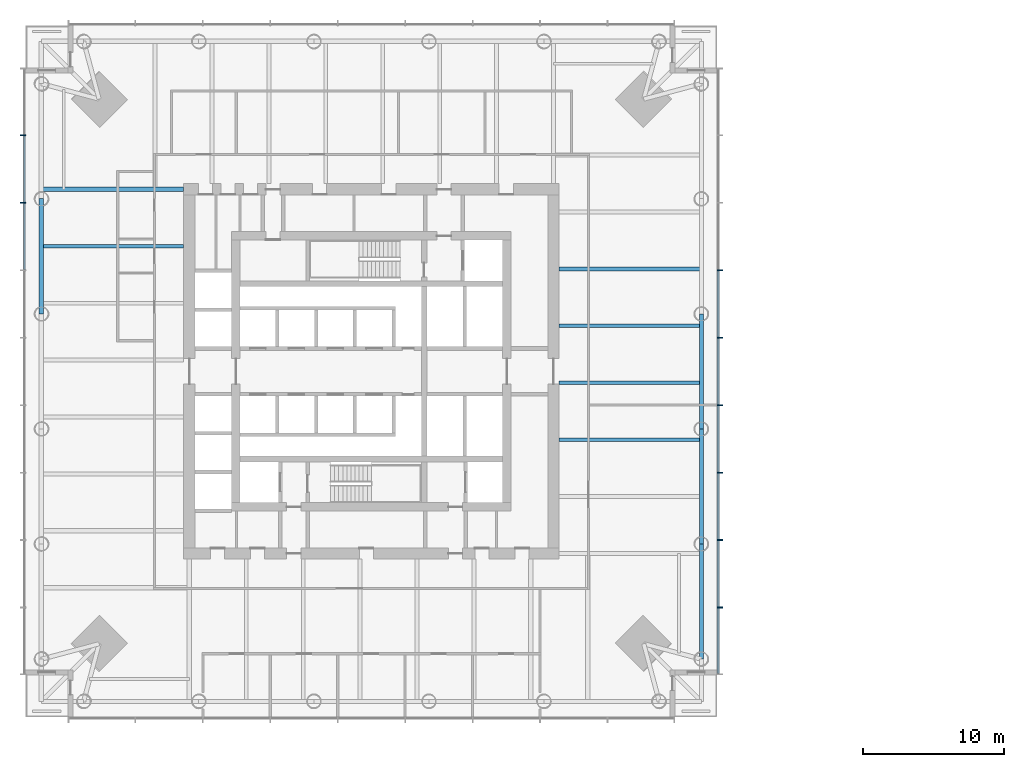
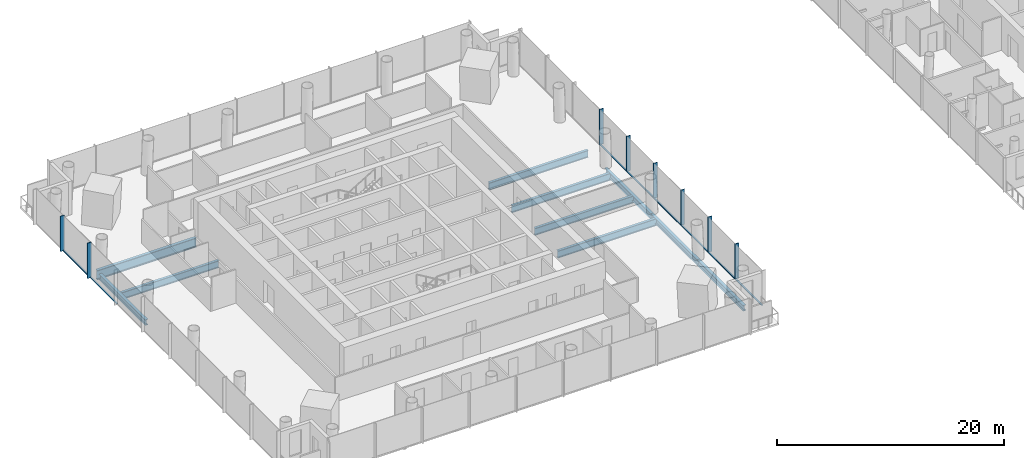
# One storey, part 3 of 22: 16 members, 10 beams, 2 elements without a shape of their own.
"""IFC4 building model written with IfcOpenShell, lengths in metres."""

from ifc_helpers import new_model, si_unit, direction, frame, origin, origin_2d, place, context, subcontext, project, spatial, rectangle, i_section, extrude, material, material_profile, profile_set, type_object, element, aggregate, save


model = new_model("IFC4")

# Units and contexts
model_context = context("Model", 3, precision=1e-05, world=origin(), true_north=direction((0.0, 1.0)))
body_context = subcontext(model_context, "Body", "Model", "MODEL_VIEW")
ifc_project = project(units=[si_unit("LENGTHUNIT", "METRE"), si_unit("AREAUNIT", "SQUARE_METRE"), si_unit("VOLUMEUNIT", "CUBIC_METRE"), si_unit("PLANEANGLEUNIT", "RADIAN"), si_unit("MASSUNIT", "GRAM", prefix="KILO")], contexts=[model_context])

# Site, building, storey
site_placement = place(None, origin())
site = spatial("IfcSite", under=ifc_project, at=site_placement, CompositionType="ELEMENT")
building_placement = place(site_placement, origin())
building = spatial("IfcBuilding", under=site, at=building_placement, Name="Ostroluk Exchange", CompositionType="ELEMENT")
storey_placement = place(building_placement, frame((0.0, 0.0, 40.0)))
storey = spatial("IfcBuildingStorey", under=building, at=storey_placement, Name="L09", CompositionType="ELEMENT", Elevation=40.0)

# Beams
ifc_material_1 = material(Name="Steel S355", Category="steel")
ifc_material_profile_1 = material_profile(ifc_material_1, i_section(OverallWidth=0.26806640625, OverallDepth=0.77001953125, WebThickness=0.015625, FlangeThickness=0.025390625, FilletRadius=0.01708984375, at=origin_2d()), Name="IPE 750x196")
ifc_profile_set_1 = profile_set([ifc_material_profile_1], Name="Steel S355")
beam_type_1 = type_object("IfcBeamType", Name="Floor beam IPE 750x196", PredefinedType="BEAM", material=ifc_profile_set_1)
for number, where, z_axis, x_axis, name in (
    (1, (58.300048828125, 41.1650390625, -0.56494140625), (1.0, 0.0, 0.0), (0.0, 1.0, 0.0), "T1 east floor beam 2"),
    (2, (58.300048828125, 45.197509765625, -0.56494140625), (1.0, 0.0, 0.0), (0.0, 1.0, 0.0), "T1 east floor beam 3"),
    (3, (58.300048828125, 49.230224609375, -0.56494140625), (1.0, 0.0, 0.0), (0.0, 1.0, 0.0), "T1 east floor beam 4"),
    (4, (58.300048828125, 53.2626953125, -0.56494140625), (1.0, 0.0, 0.0), (0.0, 1.0, 0.0), "T1 east floor beam 5"),
    (5, (31.699951171875, 54.867431640625, -0.56494140625), (-1.0, 0.0, 0.0), (0.0, -1.0, 0.0), "T1 west floor beam 1"),
):
    element("IfcBeam", number, at=place(storey_placement, frame(where, z_axis=z_axis, x_axis=x_axis)), inside=storey, type_object=beam_type_1, Name=name, PredefinedType="BEAM", context=body_context, shape_type="SweptSolid", body=[
        extrude(i_section(OverallWidth=0.26806640625, OverallDepth=0.77001953125, WebThickness=0.015625, FlangeThickness=0.025390625, FilletRadius=0.01708984375, at=origin_2d()), origin(), (0.0, 0.0, 1.0), 10.0927734375),
    ])
ifc_material_2 = material(Name="Steel S355", Category="steel")
ifc_material_profile_2 = material_profile(ifc_material_2, i_section(OverallWidth=0.302001953125, OverallDepth=1.008056640625, WebThickness=0.02099609375, FlangeThickness=0.0400390625, FilletRadius=0.030029296875, at=origin_2d()), Name="HEM 1000")
ifc_profile_set_2 = profile_set([ifc_material_profile_2], Name="Steel S355")
beam_type_2 = type_object("IfcBeamType", Name="Girder HEM 1000", PredefinedType="BEAM", material=ifc_profile_set_2)
beam_1_placement = place(storey_placement, frame((31.699951171875, 58.89990234375, -0.68408203125), z_axis=(-1.0, 0.0, 0.0), x_axis=(0.0, -1.0, 0.0)))
element("IfcBeam", 6, at=beam_1_placement, inside=storey, type_object=beam_type_2, Name="T1 north girder", PredefinedType="BEAM", context=body_context, shape_type="SweptSolid", body=[
    extrude(i_section(OverallWidth=0.302001953125, OverallDepth=1.008056640625, WebThickness=0.02099609375, FlangeThickness=0.0400390625, FilletRadius=0.030029296875, at=origin_2d()), origin(), (0.0, 0.0, 1.0), 10.0927734375),
])
ifc_material_3 = material(Name="Steel S355", Category="steel")
ifc_material_profile_3 = material_profile(ifc_material_3, i_section(OverallWidth=0.300048828125, OverallDepth=0.60009765625, WebThickness=0.015380859375, FlangeThickness=0.030029296875, FilletRadius=0.027099609375, at=origin_2d()), Name="HEB 600")
ifc_profile_set_3 = profile_set([ifc_material_profile_3], Name="Steel S355")
beam_type_3 = type_object("IfcBeamType", Name="Moment-connected edge beam HEB 600", PredefinedType="SPANDREL", material=ifc_profile_set_3)
beam_2_placement = place(storey_placement, frame((68.392822265625, 25.607177734375, -0.47998046875), z_axis=(0.0, 1.0, 0.0), x_axis=(-1.0, 0.0, 0.0)))
element("IfcBeam", 7, at=beam_2_placement, inside=storey, type_object=beam_type_3, Name="T1 east edge beam 1", PredefinedType="SPANDREL", context=body_context, shape_type="SweptSolid", body=[
    extrude(i_section(OverallWidth=0.300048828125, OverallDepth=0.60009765625, WebThickness=0.015380859375, FlangeThickness=0.030029296875, FilletRadius=0.027099609375, at=origin_2d()), origin(), (0.0, 0.0, 1.0), 8.1572265625),
])
beam_3_placement = place(storey_placement, frame((68.392822265625, 33.764404296875, -0.47998046875), z_axis=(0.0, 1.0, 0.0), x_axis=(-1.0, 0.0, 0.0)))
element("IfcBeam", 8, at=beam_3_placement, inside=storey, type_object=beam_type_3, Name="T1 east edge beam 2", PredefinedType="SPANDREL", context=body_context, shape_type="SweptSolid", body=[
    extrude(i_section(OverallWidth=0.300048828125, OverallDepth=0.60009765625, WebThickness=0.015380859375, FlangeThickness=0.030029296875, FilletRadius=0.027099609375, at=origin_2d()), origin(), (0.0, 0.0, 1.0), 8.156982421875),
])
beam_4_placement = place(storey_placement, frame((68.392822265625, 41.92138671875, -0.47998046875), z_axis=(0.0, 1.0, 0.0), x_axis=(-1.0, 0.0, 0.0)))
element("IfcBeam", 9, at=beam_4_placement, inside=storey, type_object=beam_type_3, Name="T1 east edge beam 3", PredefinedType="SPANDREL", context=body_context, shape_type="SweptSolid", body=[
    extrude(i_section(OverallWidth=0.300048828125, OverallDepth=0.60009765625, WebThickness=0.015380859375, FlangeThickness=0.030029296875, FilletRadius=0.027099609375, at=origin_2d()), origin(), (0.0, 0.0, 1.0), 8.1572265625),
])
beam_5_placement = place(storey_placement, frame((21.607177734375, 58.235595703125, -0.47998046875), z_axis=(0.0, -1.0, 0.0), x_axis=(1.0, 0.0, 0.0)))
element("IfcBeam", 10, at=beam_5_placement, inside=storey, type_object=beam_type_3, Name="T1 west edge beam 2", PredefinedType="SPANDREL", context=body_context, shape_type="SweptSolid", body=[
    extrude(i_section(OverallWidth=0.300048828125, OverallDepth=0.60009765625, WebThickness=0.015380859375, FlangeThickness=0.030029296875, FilletRadius=0.027099609375, at=origin_2d()), origin(), (0.0, 0.0, 1.0), 8.156982421875),
])

# Curtain wall, members
ifc_material_4 = material(Name="Laminated clear glass", Category="glass")
curtain_wall_type = type_object("IfcCurtainWallType", Name="Office tower facade", PredefinedType="USERDEFINED", material=ifc_material_4)
curtain_wall_1_placement = place(storey_placement, origin())
curtain_wall_1 = element("IfcCurtainWall", 11, at=curtain_wall_1_placement, inside=storey, type_object=curtain_wall_type, Name="Office tower east facade L09", ObjectType="UNITISED CURTAIN WALL", PredefinedType="USERDEFINED")
ifc_material_5 = material(Name="Aluminium mullion", Category="aluminium")
ifc_material_profile_4 = material_profile(ifc_material_5, rectangle(XDim=0.14990234375, YDim=0.080078125, at=origin_2d()), Name="Sill transom 80 x 150")
ifc_profile_set_4 = profile_set([ifc_material_profile_4], Name="Aluminium mullion")
member_type_1 = type_object("IfcMemberType", Name="Sill transom 80 x 150", PredefinedType="USERDEFINED", material=ifc_profile_set_4)
member_1_placement = place(storey_placement, frame((69.574951171875, 24.580078125, 0.0400390625), z_axis=(0.0, 1.0, 0.0), x_axis=(-1.0, 0.0, 0.0)))
member_1 = element("IfcMember", 12, at=member_1_placement, type_object=member_type_1, Name="CW-O1 transom 1.1", ObjectType="TRANSOM", PredefinedType="USERDEFINED", context=body_context, shape_type="SweptSolid", body=[
    extrude(rectangle(XDim=0.14990234375, YDim=0.080078125, at=origin_2d()), origin(), (0.0, 0.0, 1.0), 4.65771484375),
])
member_2_placement = place(storey_placement, frame((69.574951171875, 29.31787109375, 0.0400390625), z_axis=(0.0, 1.0, 0.0), x_axis=(-1.0, 0.0, 0.0)))
member_2 = element("IfcMember", 13, at=member_2_placement, type_object=member_type_1, Name="CW-O1 transom 2.1", ObjectType="TRANSOM", PredefinedType="USERDEFINED", context=body_context, shape_type="SweptSolid", body=[
    extrude(rectangle(XDim=0.14990234375, YDim=0.080078125, at=origin_2d()), origin(), (0.0, 0.0, 1.0), 4.69775390625),
])
member_3_placement = place(storey_placement, frame((69.574951171875, 34.095458984375, 0.0400390625), z_axis=(0.0, 1.0, 0.0), x_axis=(-1.0, 0.0, 0.0)))
member_3 = element("IfcMember", 14, at=member_3_placement, type_object=member_type_1, Name="CW-O1 transom 3.1", ObjectType="TRANSOM", PredefinedType="USERDEFINED", context=body_context, shape_type="SweptSolid", body=[
    extrude(rectangle(XDim=0.14990234375, YDim=0.080078125, at=origin_2d()), origin(), (0.0, 0.0, 1.0), 4.69775390625),
])
member_4_placement = place(storey_placement, frame((69.574951171875, 38.873291015625, 0.0400390625), z_axis=(0.0, 1.0, 0.0), x_axis=(-1.0, 0.0, 0.0)))
member_4 = element("IfcMember", 15, at=member_4_placement, type_object=member_type_1, Name="CW-O1 transom 4.1", ObjectType="TRANSOM", PredefinedType="USERDEFINED", context=body_context, shape_type="SweptSolid", body=[
    extrude(rectangle(XDim=0.14990234375, YDim=0.080078125, at=origin_2d()), origin(), (0.0, 0.0, 1.0), 4.69775390625),
])
member_5_placement = place(storey_placement, frame((69.574951171875, 43.651123046875, 0.0400390625), z_axis=(0.0, 1.0, 0.0), x_axis=(-1.0, 0.0, 0.0)))
member_5 = element("IfcMember", 16, at=member_5_placement, type_object=member_type_1, Name="CW-O1 transom 5.1", ObjectType="TRANSOM", PredefinedType="USERDEFINED", context=body_context, shape_type="SweptSolid", body=[
    extrude(rectangle(XDim=0.14990234375, YDim=0.080078125, at=origin_2d()), origin(), (0.0, 0.0, 1.0), 4.69775390625),
])
member_6_placement = place(storey_placement, frame((69.574951171875, 48.428955078125, 0.0400390625), z_axis=(0.0, 1.0, 0.0), x_axis=(-1.0, 0.0, 0.0)))
member_6 = element("IfcMember", 17, at=member_6_placement, type_object=member_type_1, Name="CW-O1 transom 6.1", ObjectType="TRANSOM", PredefinedType="USERDEFINED", context=body_context, shape_type="SweptSolid", body=[
    extrude(rectangle(XDim=0.14990234375, YDim=0.080078125, at=origin_2d()), origin(), (0.0, 0.0, 1.0), 4.69775390625),
])

curtain_wall_2_placement = place(storey_placement, origin())
curtain_wall_2 = element("IfcCurtainWall", 18, at=curtain_wall_2_placement, inside=storey, type_object=curtain_wall_type, Name="Office tower west facade L09", ObjectType="UNITISED CURTAIN WALL", PredefinedType="USERDEFINED")
member_7_placement = place(storey_placement, frame((20.425048828125, 62.68212890625, 0.0400390625), z_axis=(0.0, -1.0, 0.0), x_axis=(1.0, 0.0, 0.0)))
member_7 = element("IfcMember", 19, at=member_7_placement, type_object=member_type_1, Name="CW-O1 transom 2.1", ObjectType="TRANSOM", PredefinedType="USERDEFINED", context=body_context, shape_type="SweptSolid", body=[
    extrude(rectangle(XDim=0.14990234375, YDim=0.080078125, at=origin_2d()), origin(), (0.0, 0.0, 1.0), 4.69775390625),
])
member_8_placement = place(storey_placement, frame((20.425048828125, 57.904541015625, 0.0400390625), z_axis=(0.0, -1.0, 0.0), x_axis=(1.0, 0.0, 0.0)))
member_8 = element("IfcMember", 20, at=member_8_placement, type_object=member_type_1, Name="CW-O1 transom 3.1", ObjectType="TRANSOM", PredefinedType="USERDEFINED", context=body_context, shape_type="SweptSolid", body=[
    extrude(rectangle(XDim=0.14990234375, YDim=0.080078125, at=origin_2d()), origin(), (0.0, 0.0, 1.0), 4.69775390625),
])

# Member
ifc_material_6 = material(Name="Aluminium mullion with limestone facing", Category="masonry")
ifc_material_profile_5 = material_profile(ifc_material_6, rectangle(XDim=0.39990234375, YDim=0.080078125, at=origin_2d()), Name="Tracery mullion 80 x 400")
ifc_profile_set_5 = profile_set([ifc_material_profile_5], Name="Aluminium mullion with limestone facing")
member_type_2 = type_object("IfcMemberType", Name="Tracery mullion 80 x 400", PredefinedType="MULLION", material=ifc_profile_set_5)
member_9_placement = place(storey_placement, frame((69.699951171875, 29.27783203125, 0.0), z_axis=(0.0, 0.0, 1.0), x_axis=(-1.0, 0.0, 0.0)))
member_9 = element("IfcMember", 21, at=member_9_placement, type_object=member_type_2, Name="CW-O1 mullion 2", PredefinedType="MULLION", context=body_context, shape_type="SweptSolid", body=[
    extrude(rectangle(XDim=0.39990234375, YDim=0.080078125, at=origin_2d()), origin(), (0.0, 0.0, 1.0), 3.800048828125),
])

member_10_placement = place(storey_placement, frame((69.699951171875, 34.0556640625, 0.0), z_axis=(0.0, 0.0, 1.0), x_axis=(-1.0, 0.0, 0.0)))
member_10 = element("IfcMember", 22, at=member_10_placement, type_object=member_type_2, Name="CW-O1 mullion 3", PredefinedType="MULLION", context=body_context, shape_type="SweptSolid", body=[
    extrude(rectangle(XDim=0.39990234375, YDim=0.080078125, at=origin_2d()), origin(), (0.0, 0.0, 1.0), 3.800048828125),
])

member_11_placement = place(storey_placement, frame((69.699951171875, 38.833251953125, 0.0), z_axis=(0.0, 0.0, 1.0), x_axis=(-1.0, 0.0, 0.0)))
member_11 = element("IfcMember", 23, at=member_11_placement, type_object=member_type_2, Name="CW-O1 mullion 4", PredefinedType="MULLION", context=body_context, shape_type="SweptSolid", body=[
    extrude(rectangle(XDim=0.39990234375, YDim=0.080078125, at=origin_2d()), origin(), (0.0, 0.0, 1.0), 3.800048828125),
])

member_12_placement = place(storey_placement, frame((69.699951171875, 43.611083984375, 0.0), z_axis=(0.0, 0.0, 1.0), x_axis=(-1.0, 0.0, 0.0)))
member_12 = element("IfcMember", 24, at=member_12_placement, type_object=member_type_2, Name="CW-O1 mullion 5", PredefinedType="MULLION", context=body_context, shape_type="SweptSolid", body=[
    extrude(rectangle(XDim=0.39990234375, YDim=0.080078125, at=origin_2d()), origin(), (0.0, 0.0, 1.0), 3.800048828125),
])

member_13_placement = place(storey_placement, frame((69.699951171875, 48.388916015625, 0.0), z_axis=(0.0, 0.0, 1.0), x_axis=(-1.0, 0.0, 0.0)))
member_13 = element("IfcMember", 25, at=member_13_placement, type_object=member_type_2, Name="CW-O1 mullion 6", PredefinedType="MULLION", context=body_context, shape_type="SweptSolid", body=[
    extrude(rectangle(XDim=0.39990234375, YDim=0.080078125, at=origin_2d()), origin(), (0.0, 0.0, 1.0), 3.800048828125),
])

member_14_placement = place(storey_placement, frame((69.699951171875, 53.166748046875, 0.0), z_axis=(0.0, 0.0, 1.0), x_axis=(-1.0, 0.0, 0.0)))
member_14 = element("IfcMember", 26, at=member_14_placement, type_object=member_type_2, Name="CW-O1 mullion 7", PredefinedType="MULLION", context=body_context, shape_type="SweptSolid", body=[
    extrude(rectangle(XDim=0.39990234375, YDim=0.080078125, at=origin_2d()), origin(), (0.0, 0.0, 1.0), 3.800048828125),
])

aggregate(curtain_wall_1, [member_9, member_10, member_11, member_12, member_13, member_14, member_1, member_2, member_3, member_4, member_5, member_6])

member_15_placement = place(storey_placement, frame((20.300048828125, 62.72216796875, 0.0), z_axis=(0.0, 0.0, 1.0), x_axis=(1.0, 0.0, 0.0)))
member_15 = element("IfcMember", 27, at=member_15_placement, type_object=member_type_2, Name="CW-O1 mullion 2", PredefinedType="MULLION", context=body_context, shape_type="SweptSolid", body=[
    extrude(rectangle(XDim=0.39990234375, YDim=0.080078125, at=origin_2d()), origin(), (0.0, 0.0, 1.0), 3.800048828125),
])

member_16_placement = place(storey_placement, frame((20.300048828125, 57.9443359375, 0.0), z_axis=(0.0, 0.0, 1.0), x_axis=(1.0, 0.0, 0.0)))
member_16 = element("IfcMember", 28, at=member_16_placement, type_object=member_type_2, Name="CW-O1 mullion 3", PredefinedType="MULLION", context=body_context, shape_type="SweptSolid", body=[
    extrude(rectangle(XDim=0.39990234375, YDim=0.080078125, at=origin_2d()), origin(), (0.0, 0.0, 1.0), 3.800048828125),
])

aggregate(curtain_wall_2, [member_15, member_16, member_7, member_8])

save(model, "model.ifc")
